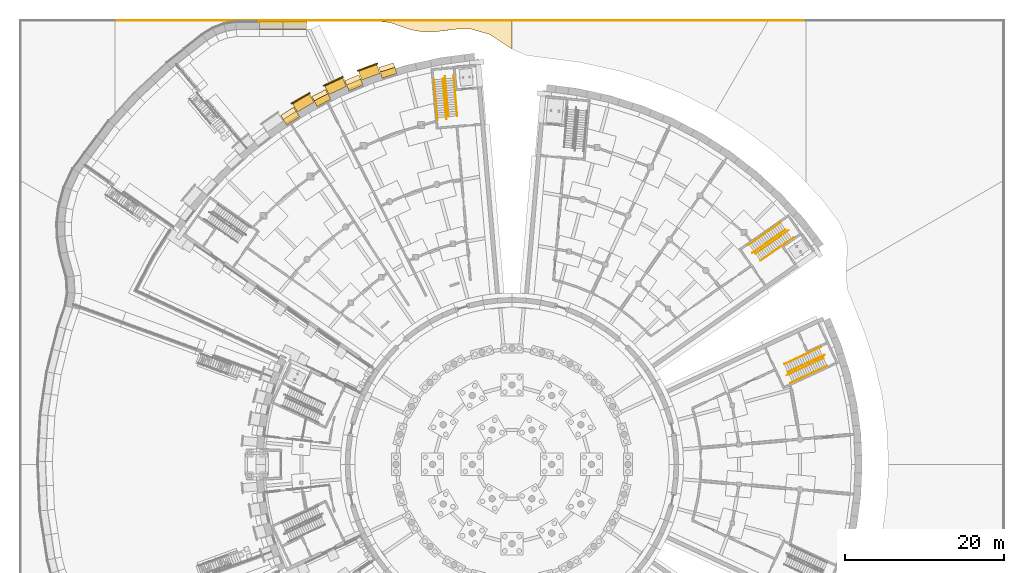
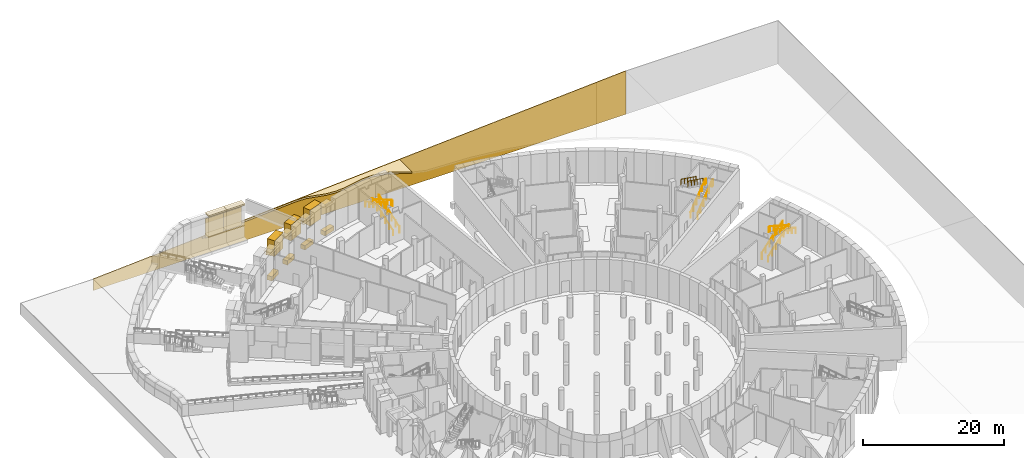
# One storey, part 63 of 65: 24 coverings, 12 railings.
"""IFC4 building model written with IfcOpenShell, lengths in metres."""

from ifc_helpers import new_model, si_unit, direction, frame, origin, origin_2d, place, context, subcontext, project, spatial, polyline, rectangle, circle, outline, extrude, material, layer, layer_set, type_object, element, save


model = new_model("IFC4")

# Units and contexts
model_context = context("Model", 3, precision=1e-05, world=origin(), true_north=direction((0.0, 1.0)))
body_context = subcontext(model_context, "Body", "Model", "MODEL_VIEW")
ifc_project = project(units=[si_unit("LENGTHUNIT", "METRE"), si_unit("AREAUNIT", "SQUARE_METRE"), si_unit("VOLUMEUNIT", "CUBIC_METRE"), si_unit("PLANEANGLEUNIT", "RADIAN"), si_unit("MASSUNIT", "GRAM", prefix="KILO")], contexts=[model_context])

# Site, building, storey
site_placement = place(None, origin())
site = spatial("IfcSite", under=ifc_project, at=site_placement, CompositionType="ELEMENT")
building_placement = place(site_placement, origin())
building = spatial("IfcBuilding", under=site, at=building_placement, Name="Volute Hill Aquarium", CompositionType="ELEMENT")
storey_placement = place(building_placement, frame((0.0, 0.0, -5.5)))
storey = spatial("IfcBuildingStorey", under=building, at=storey_placement, Name="L00", CompositionType="ELEMENT", Elevation=-5.5)

# Coverings
ifc_material_1 = material(Name="Blue limestone", Category="masonry")
covering_type_1 = type_object("IfcCoveringType", Name="Bluestone plinth block 275x750", PredefinedType="CLADDING", material=ifc_material_1)
for number, where, z_axis, x_axis, name in (
    (1, (-15.546875, 49.30810546875, 0.0), (0.0, 0.0, 1.0), (-0.953718003322, -0.300702461147, 0.0), "Bluestone plinth BPN S6 L00 3"),
    (2, (-19.78515625, 47.765380859375, 0.0), (0.0, 0.0, 1.0), (-0.923880784882, -0.382680408861, 0.0), "Bluestone plinth BPN S6 L00 4"),
    (3, (-23.872802734375, 45.859375, 0.0), (0.0, 0.0, 1.0), (-0.887005547579, -0.461758766635, 0.0), "Bluestone plinth BPN S6 L00 5"),
    (4, (-27.77880859375, 43.604248046875, 0.0), (0.0, 0.0, 1.0), (-0.843395858464, -0.537292681808, 0.0), "Bluestone plinth BPN S6 L00 6"),
):
    element("IfcCovering", number, at=place(storey_placement, frame(where, z_axis=z_axis, x_axis=x_axis)), inside=storey, type_object=covering_type_1, Name=name, PredefinedType="CLADDING", context=body_context, shape_type="SweptSolid", body=[
        extrude(rectangle(XDim=1.933837890625, YDim=0.800048828125, at=origin_2d()), origin(), (0.0, 0.0, 1.0), 0.75),
    ])
ifc_material_2 = material(Name="Blue limestone", Category="masonry")
ifc_layer_1 = layer(ifc_material_2, 0.14990234375)
ifc_layer_set_1 = layer_set([ifc_layer_1], Name="Bluestone plinth plate 150x750")
covering_type_2 = type_object("IfcCoveringType", Name="Bluestone plinth plate 150x750", PredefinedType="CLADDING", material=ifc_layer_set_1)
for number, where, z_axis, x_axis, name in (
    (5, (-18.201904296875, 50.00927734375, 2.75), (0.0, 0.0, 1.0), (-0.939692620786, -0.342020143326, 0.0), "Bluestone plinth BP S6 L00 3"),
    (6, (-22.4912109375, 48.232421875, 2.75), (0.0, 0.0, 1.0), (-0.906307787037, -0.422618261741, 0.0), "Bluestone plinth BP S6 L00 4"),
    (7, (-26.609375, 46.088623046875, 2.75), (0.0, 0.0, 1.0), (-0.866025403784, -0.5, 0.0), "Bluestone plinth BP S6 L00 5"),
):
    element("IfcCovering", number, at=place(storey_placement, frame(where, z_axis=z_axis, x_axis=x_axis)), inside=storey, type_object=covering_type_2, Name=name, PredefinedType="CLADDING", context=body_context, shape_type="SweptSolid", body=[
        extrude(rectangle(XDim=2.7353515625, YDim=0.14990234375, at=origin_2d()), origin(), (0.0, 0.0, 1.0), 0.75),
    ])

# Railings
ifc_material_3 = material(Name="Stainless steel 1.4301", Category="steel")
railing_type_1 = type_object("IfcRailingType", Name="Guard 1100 stainless", PredefinedType="GUARDRAIL", material=ifc_material_3)
railing_1_placement = place(storey_placement, frame((34.278564453125, 12.619140625, 0.161865234375)))
element("IfcRailing", 8, at=railing_1_placement, inside=storey, type_object=railing_type_1, Name="gd/S4-B/L00/1", PredefinedType="GUARDRAIL", context=body_context, shape_type="SweptSolid", body=[
    extrude(circle(Radius=0.02392578125, at=origin_2d()), frame((0.0, 0.0, 1.076171875), z_axis=(0.797737998729, 0.371985242238, 0.474595685758), x_axis=(-0.422612573246, 0.906310439604, 0.0)), (0.0, 0.0, 1.0), 5.453369140625),
    extrude(circle(Radius=0.02392578125, at=origin_2d()), frame((4.350341796875, 2.028564453125, 3.6640625), z_axis=(0.906453195831, 0.422306291415, 0.0), x_axis=(-0.422306291415, 0.906453195831, 0.0)), (0.0, 0.0, 1.0), 0.300048828125),
    extrude(circle(Radius=0.02099609375, at=origin_2d()), origin(), (0.0, 0.0, 1.0), 1.052001953125),
    extrude(circle(Radius=0.02099609375, at=origin_2d()), frame((0.8701171875, 0.40576171875, 0.517578125)), (0.0, 0.0, 1.0), 1.052001953125),
    extrude(circle(Radius=0.02099609375, at=origin_2d()), frame((1.740234375, 0.8115234375, 1.03515625)), (0.0, 0.0, 1.0), 1.052001953125),
    extrude(circle(Radius=0.02099609375, at=origin_2d()), frame((2.610107421875, 1.217041015625, 1.552978515625)), (0.0, 0.0, 1.0), 1.052001953125),
    extrude(circle(Radius=0.02099609375, at=origin_2d()), frame((3.480224609375, 1.622802734375, 2.070556640625)), (0.0, 0.0, 1.0), 1.052001953125),
    extrude(circle(Radius=0.02099609375, at=origin_2d()), frame((4.350341796875, 2.028564453125, 2.588134765625)), (0.0, 0.0, 1.0), 1.052001953125),
    extrude(circle(Radius=0.02099609375, at=origin_2d()), frame((4.622314453125, 2.1552734375, 2.588134765625)), (0.0, 0.0, 1.0), 1.052001953125),
])
railing_2_placement = place(storey_placement, frame((31.303466796875, 25.64208984375, 0.161865234375)))
element("IfcRailing", 9, at=railing_2_placement, inside=storey, type_object=railing_type_1, Name="gd/S5-A/L00/1", PredefinedType="GUARDRAIL", context=body_context, shape_type="SweptSolid", body=[
    extrude(circle(Radius=0.02392578125, at=origin_2d()), frame((0.0, 0.0, 1.076171875), z_axis=(0.720998182206, 0.50490018621, 0.474591849088), x_axis=(-0.573615942825, 0.819124380138, 0.0)), (0.0, 0.0, 1.0), 5.453369140625),
    extrude(circle(Radius=0.02392578125, at=origin_2d()), frame((3.931884765625, 2.75341796875, 3.6640625), z_axis=(0.819575896246, 0.572970636502, 0.0), x_axis=(-0.572970636502, 0.819575896246, 0.0)), (0.0, 0.0, 1.0), 0.300048828125),
    extrude(circle(Radius=0.02099609375, at=origin_2d()), origin(), (0.0, 0.0, 1.0), 1.052001953125),
    extrude(circle(Radius=0.02099609375, at=origin_2d()), frame((0.786376953125, 0.55078125, 0.517578125)), (0.0, 0.0, 1.0), 1.052001953125),
    extrude(circle(Radius=0.02099609375, at=origin_2d()), frame((1.57275390625, 1.101318359375, 1.03515625)), (0.0, 0.0, 1.0), 1.052001953125),
    extrude(circle(Radius=0.02099609375, at=origin_2d()), frame((2.359130859375, 1.652099609375, 1.552978515625)), (0.0, 0.0, 1.0), 1.052001953125),
    extrude(circle(Radius=0.02099609375, at=origin_2d()), frame((3.1455078125, 2.20263671875, 2.070556640625)), (0.0, 0.0, 1.0), 1.052001953125),
    extrude(circle(Radius=0.02099609375, at=origin_2d()), frame((3.931884765625, 2.75341796875, 2.588134765625)), (0.0, 0.0, 1.0), 1.052001953125),
    extrude(circle(Radius=0.02099609375, at=origin_2d()), frame((4.177734375, 2.92529296875, 2.588134765625)), (0.0, 0.0, 1.0), 1.052001953125),
])
railing_3_placement = place(storey_placement, frame((-6.8994140625, 43.865478515625, 0.161865234375)))
element("IfcRailing", 10, at=railing_3_placement, inside=storey, type_object=railing_type_1, Name="gd/S6-A/L00/1", PredefinedType="GUARDRAIL", context=body_context, shape_type="SweptSolid", body=[
    extrude(circle(Radius=0.02392578125, at=origin_2d()), frame((0.0, 0.0, 1.076171875), z_axis=(-0.07669002411, 0.876853947593, 0.474600668765), x_axis=(-0.996197139649, -0.087127831115, 0.0)), (0.0, 0.0, 1.0), 5.453369140625),
    extrude(circle(Radius=0.02392578125, at=origin_2d()), frame((-0.418212890625, 4.78173828125, 3.6640625), z_axis=(-0.087822613866, 0.996136129499, 0.0), x_axis=(-0.996136129499, -0.087822613866, 0.0)), (0.0, 0.0, 1.0), 0.30029296875),
    extrude(circle(Radius=0.02099609375, at=origin_2d()), origin(), (0.0, 0.0, 1.0), 1.052001953125),
    extrude(circle(Radius=0.02099609375, at=origin_2d()), frame((-0.083740234375, 0.956298828125, 0.517578125)), (0.0, 0.0, 1.0), 1.052001953125),
    extrude(circle(Radius=0.02099609375, at=origin_2d()), frame((-0.167236328125, 1.91259765625, 1.03515625)), (0.0, 0.0, 1.0), 1.052001953125),
    extrude(circle(Radius=0.02099609375, at=origin_2d()), frame((-0.2509765625, 2.869140625, 1.552978515625)), (0.0, 0.0, 1.0), 1.052001953125),
    extrude(circle(Radius=0.02099609375, at=origin_2d()), frame((-0.33447265625, 3.825439453125, 2.070556640625)), (0.0, 0.0, 1.0), 1.052001953125),
    extrude(circle(Radius=0.02099609375, at=origin_2d()), frame((-0.418212890625, 4.78173828125, 2.588134765625)), (0.0, 0.0, 1.0), 1.052001953125),
    extrude(circle(Radius=0.02099609375, at=origin_2d()), frame((-0.444580078125, 5.080810546875, 2.588134765625)), (0.0, 0.0, 1.0), 1.052001953125),
])
ifc_material_4 = material(Name="Stainless steel 1.4301", Category="steel")
railing_type_2 = type_object("IfcRailingType", Name="Handrail 48 stainless", PredefinedType="HANDRAIL", material=ifc_material_4)
railing_4_placement = place(storey_placement, frame((34.743408203125, 11.6220703125, 0.161865234375)))
element("IfcRailing", 11, at=railing_4_placement, inside=storey, type_object=railing_type_2, Name="hr/S4-B/L00/2", PredefinedType="HANDRAIL", context=body_context, shape_type="SweptSolid", body=[
    extrude(circle(Radius=0.02392578125, at=origin_2d()), frame((0.0, 0.0, 0.8759765625), z_axis=(0.797737998729, 0.371985242238, 0.474595685758), x_axis=(-0.422612573246, 0.906310439604, 0.0)), (0.0, 0.0, 1.0), 5.453369140625),
    extrude(circle(Radius=0.02392578125, at=origin_2d()), frame((4.350341796875, 2.028564453125, 3.4638671875), z_axis=(0.905995887789, 0.423286488455, 0.0), x_axis=(-0.423286488455, 0.905995887789, 0.0)), (0.0, 0.0, 1.0), 0.2998046875),
    extrude(circle(Radius=0.02099609375, at=origin_2d()), origin(), (0.0, 0.0, 1.0), 0.851806640625),
    extrude(circle(Radius=0.02099609375, at=origin_2d()), frame((0.8701171875, 0.40576171875, 0.517578125)), (0.0, 0.0, 1.0), 0.851806640625),
    extrude(circle(Radius=0.02099609375, at=origin_2d()), frame((1.740234375, 0.8115234375, 1.03515625)), (0.0, 0.0, 1.0), 0.851806640625),
    extrude(circle(Radius=0.02099609375, at=origin_2d()), frame((2.610107421875, 1.217041015625, 1.552978515625)), (0.0, 0.0, 1.0), 0.851806640625),
    extrude(circle(Radius=0.02099609375, at=origin_2d()), frame((3.480224609375, 1.622802734375, 2.070556640625)), (0.0, 0.0, 1.0), 0.851806640625),
    extrude(circle(Radius=0.02099609375, at=origin_2d()), frame((4.350341796875, 2.028564453125, 2.588134765625)), (0.0, 0.0, 1.0), 0.851806640625),
    extrude(circle(Radius=0.02099609375, at=origin_2d()), frame((4.6220703125, 2.155517578125, 2.588134765625)), (0.0, 0.0, 1.0), 0.851806640625),
])
railing_5_placement = place(storey_placement, frame((39.220458984375, 13.37890625, 2.911865234375)))
element("IfcRailing", 12, at=railing_5_placement, inside=storey, type_object=railing_type_2, Name="hr/S4-B/L00/3", PredefinedType="HANDRAIL", context=body_context, shape_type="SweptSolid", body=[
    extrude(circle(Radius=0.02392578125, at=origin_2d()), frame((0.0, 0.0, 0.8759765625), z_axis=(-0.797708433047, -0.37203710173, 0.4746047311), x_axis=(0.422673832866, -0.906281871721, 0.0)), (0.0, 0.0, 1.0), 5.453125),
    extrude(circle(Radius=0.02392578125, at=origin_2d()), frame((-4.35009765625, -2.02880859375, 3.4638671875), z_axis=(-0.906453195831, -0.422306291415, 0.0), x_axis=(0.422306291415, -0.906453195831, 0.0)), (0.0, 0.0, 1.0), 0.300048828125),
    extrude(circle(Radius=0.02099609375, at=origin_2d()), origin(), (0.0, 0.0, 1.0), 0.851806640625),
    extrude(circle(Radius=0.02099609375, at=origin_2d()), frame((-0.8701171875, -0.40576171875, 0.517578125)), (0.0, 0.0, 1.0), 0.851806640625),
    extrude(circle(Radius=0.02099609375, at=origin_2d()), frame((-1.739990234375, -0.8115234375, 1.03515625)), (0.0, 0.0, 1.0), 0.851806640625),
    extrude(circle(Radius=0.02099609375, at=origin_2d()), frame((-2.610107421875, -1.21728515625, 1.552978515625)), (0.0, 0.0, 1.0), 0.851806640625),
    extrude(circle(Radius=0.02099609375, at=origin_2d()), frame((-3.47998046875, -1.623046875, 2.070556640625)), (0.0, 0.0, 1.0), 0.851806640625),
    extrude(circle(Radius=0.02099609375, at=origin_2d()), frame((-4.35009765625, -2.02880859375, 2.588134765625)), (0.0, 0.0, 1.0), 0.851806640625),
    extrude(circle(Radius=0.02099609375, at=origin_2d()), frame((-4.6220703125, -2.155517578125, 2.588134765625)), (0.0, 0.0, 1.0), 0.851806640625),
])
railing_6_placement = place(storey_placement, frame((39.685302734375, 12.3818359375, 2.911865234375)))
element("IfcRailing", 13, at=railing_6_placement, inside=storey, type_object=railing_type_2, Name="hr/S4-B/L00/4", PredefinedType="HANDRAIL", context=body_context, shape_type="SweptSolid", body=[
    extrude(circle(Radius=0.02392578125, at=origin_2d()), frame((0.0, 0.0, 0.8759765625), z_axis=(-0.797721719235, -0.371998527619, 0.474612635852), x_axis=(0.422632055127, -0.906301354947, 0.0)), (0.0, 0.0, 1.0), 5.453125),
    extrude(circle(Radius=0.02392578125, at=origin_2d()), frame((-4.35009765625, -2.028564453125, 3.4638671875), z_axis=(-0.906453195831, -0.422306291415, 0.0), x_axis=(0.422306291415, -0.906453195831, 0.0)), (0.0, 0.0, 1.0), 0.300048828125),
    extrude(circle(Radius=0.02099609375, at=origin_2d()), origin(), (0.0, 0.0, 1.0), 0.851806640625),
    extrude(circle(Radius=0.02099609375, at=origin_2d()), frame((-0.8701171875, -0.40576171875, 0.517578125)), (0.0, 0.0, 1.0), 0.851806640625),
    extrude(circle(Radius=0.02099609375, at=origin_2d()), frame((-1.739990234375, -0.8115234375, 1.03515625)), (0.0, 0.0, 1.0), 0.851806640625),
    extrude(circle(Radius=0.02099609375, at=origin_2d()), frame((-2.610107421875, -1.217041015625, 1.552978515625)), (0.0, 0.0, 1.0), 0.851806640625),
    extrude(circle(Radius=0.02099609375, at=origin_2d()), frame((-3.47998046875, -1.622802734375, 2.070556640625)), (0.0, 0.0, 1.0), 0.851806640625),
    extrude(circle(Radius=0.02099609375, at=origin_2d()), frame((-4.35009765625, -2.028564453125, 2.588134765625)), (0.0, 0.0, 1.0), 0.851806640625),
    extrude(circle(Radius=0.02099609375, at=origin_2d()), frame((-4.6220703125, -2.1552734375, 2.588134765625)), (0.0, 0.0, 1.0), 0.851806640625),
])
railing_7_placement = place(storey_placement, frame((30.67236328125, 26.543212890625, 0.161865234375)))
element("IfcRailing", 14, at=railing_7_placement, inside=storey, type_object=railing_type_2, Name="hr/S5-A/L00/2", PredefinedType="HANDRAIL", context=body_context, shape_type="SweptSolid", body=[
    extrude(circle(Radius=0.02392578125, at=origin_2d()), frame((0.0, 0.0, 0.8759765625), z_axis=(0.721035973794, 0.504850532502, 0.474587256811), x_axis=(-0.573557917916, 0.819165010725, 0.0)), (0.0, 0.0, 1.0), 5.453369140625),
    extrude(circle(Radius=0.02392578125, at=origin_2d()), frame((3.93212890625, 2.753173828125, 3.4638671875), z_axis=(0.818925855405, 0.573899332068, 0.0), x_axis=(-0.573899332068, 0.818925855405, 0.0)), (0.0, 0.0, 1.0), 0.2998046875),
    extrude(circle(Radius=0.02099609375, at=origin_2d()), origin(), (0.0, 0.0, 1.0), 0.851806640625),
    extrude(circle(Radius=0.02099609375, at=origin_2d()), frame((0.786376953125, 0.550537109375, 0.517578125)), (0.0, 0.0, 1.0), 0.851806640625),
    extrude(circle(Radius=0.02099609375, at=origin_2d()), frame((1.57275390625, 1.101318359375, 1.03515625)), (0.0, 0.0, 1.0), 0.851806640625),
    extrude(circle(Radius=0.02099609375, at=origin_2d()), frame((2.359375, 1.65185546875, 1.552978515625)), (0.0, 0.0, 1.0), 0.851806640625),
    extrude(circle(Radius=0.02099609375, at=origin_2d()), frame((3.145751953125, 2.20263671875, 2.070556640625)), (0.0, 0.0, 1.0), 0.851806640625),
    extrude(circle(Radius=0.02099609375, at=origin_2d()), frame((3.93212890625, 2.753173828125, 2.588134765625)), (0.0, 0.0, 1.0), 0.851806640625),
    extrude(circle(Radius=0.02099609375, at=origin_2d()), frame((4.177734375, 2.92529296875, 2.588134765625)), (0.0, 0.0, 1.0), 0.851806640625),
])
railing_8_placement = place(storey_placement, frame((34.432373046875, 29.542236328125, 2.911865234375)))
element("IfcRailing", 15, at=railing_8_placement, inside=storey, type_object=railing_type_2, Name="hr/S5-A/L00/3", PredefinedType="HANDRAIL", context=body_context, shape_type="SweptSolid", body=[
    extrude(circle(Radius=0.02392578125, at=origin_2d()), frame((0.0, 0.0, 0.8759765625), z_axis=(-0.721014479241, -0.504866829084, 0.474602576494), x_axis=(0.573581815061, -0.819148278049, 0.0)), (0.0, 0.0, 1.0), 5.453369140625),
    extrude(circle(Radius=0.02392578125, at=origin_2d()), frame((-3.931884765625, -2.753173828125, 3.4638671875), z_axis=(-0.819193700616, -0.573516940352, 0.0), x_axis=(0.573516940352, -0.819193700616, 0.0)), (0.0, 0.0, 1.0), 0.300048828125),
    extrude(circle(Radius=0.02099609375, at=origin_2d()), origin(), (0.0, 0.0, 1.0), 0.851806640625),
    extrude(circle(Radius=0.02099609375, at=origin_2d()), frame((-0.786376953125, -0.550537109375, 0.517578125)), (0.0, 0.0, 1.0), 0.851806640625),
    extrude(circle(Radius=0.02099609375, at=origin_2d()), frame((-1.57275390625, -1.101318359375, 1.03515625)), (0.0, 0.0, 1.0), 0.851806640625),
    extrude(circle(Radius=0.02099609375, at=origin_2d()), frame((-2.359130859375, -1.65185546875, 1.552978515625)), (0.0, 0.0, 1.0), 0.851806640625),
    extrude(circle(Radius=0.02099609375, at=origin_2d()), frame((-3.1455078125, -2.20263671875, 2.070556640625)), (0.0, 0.0, 1.0), 0.851806640625),
    extrude(circle(Radius=0.02099609375, at=origin_2d()), frame((-3.931884765625, -2.753173828125, 2.588134765625)), (0.0, 0.0, 1.0), 0.851806640625),
    extrude(circle(Radius=0.02099609375, at=origin_2d()), frame((-4.177734375, -2.92529296875, 2.588134765625)), (0.0, 0.0, 1.0), 0.851806640625),
])
railing_9_placement = place(storey_placement, frame((33.801513671875, 30.443359375, 2.911865234375)))
element("IfcRailing", 16, at=railing_9_placement, inside=storey, type_object=railing_type_2, Name="hr/S5-A/L00/4", PredefinedType="HANDRAIL", context=body_context, shape_type="SweptSolid", body=[
    extrude(circle(Radius=0.02392578125, at=origin_2d()), frame((0.0, 0.0, 0.8759765625), z_axis=(-0.721035973794, -0.504850532502, 0.474587256811), x_axis=(0.573557917916, -0.819165010725, 0.0)), (0.0, 0.0, 1.0), 5.453369140625),
    extrude(circle(Radius=0.02392578125, at=origin_2d()), frame((-3.93212890625, -2.753173828125, 3.4638671875), z_axis=(-0.818925855405, -0.573899332068, 0.0), x_axis=(0.573899332068, -0.818925855405, 0.0)), (0.0, 0.0, 1.0), 0.2998046875),
    extrude(circle(Radius=0.02099609375, at=origin_2d()), origin(), (0.0, 0.0, 1.0), 0.851806640625),
    extrude(circle(Radius=0.02099609375, at=origin_2d()), frame((-0.786376953125, -0.550537109375, 0.517578125)), (0.0, 0.0, 1.0), 0.851806640625),
    extrude(circle(Radius=0.02099609375, at=origin_2d()), frame((-1.57275390625, -1.101318359375, 1.03515625)), (0.0, 0.0, 1.0), 0.851806640625),
    extrude(circle(Radius=0.02099609375, at=origin_2d()), frame((-2.359375, -1.65185546875, 1.552978515625)), (0.0, 0.0, 1.0), 0.851806640625),
    extrude(circle(Radius=0.02099609375, at=origin_2d()), frame((-3.145751953125, -2.20263671875, 2.070556640625)), (0.0, 0.0, 1.0), 0.851806640625),
    extrude(circle(Radius=0.02099609375, at=origin_2d()), frame((-3.93212890625, -2.753173828125, 2.588134765625)), (0.0, 0.0, 1.0), 0.851806640625),
    extrude(circle(Radius=0.02099609375, at=origin_2d()), frame((-4.177734375, -2.92529296875, 2.588134765625)), (0.0, 0.0, 1.0), 0.851806640625),
])
railing_10_placement = place(storey_placement, frame((-7.9951171875, 43.769775390625, 0.161865234375)))
element("IfcRailing", 17, at=railing_10_placement, inside=storey, type_object=railing_type_2, Name="hr/S6-A/L00/2", PredefinedType="HANDRAIL", context=body_context, shape_type="SweptSolid", body=[
    extrude(circle(Radius=0.02392578125, at=origin_2d()), frame((0.0, 0.0, 0.8759765625), z_axis=(-0.076734530001, 0.876850936167, 0.474599038819), x_axis=(-0.996192723684, -0.087178307383, 0.0)), (0.0, 0.0, 1.0), 5.453369140625),
    extrude(circle(Radius=0.02392578125, at=origin_2d()), frame((-0.41845703125, 4.78173828125, 3.4638671875), z_axis=(-0.087086179441, 0.996200781645, 0.0), x_axis=(-0.996200781645, -0.087086179441, 0.0)), (0.0, 0.0, 1.0), 0.300048828125),
    extrude(circle(Radius=0.02099609375, at=origin_2d()), origin(), (0.0, 0.0, 1.0), 0.851806640625),
    extrude(circle(Radius=0.02099609375, at=origin_2d()), frame((-0.083740234375, 0.956298828125, 0.517578125)), (0.0, 0.0, 1.0), 0.851806640625),
    extrude(circle(Radius=0.02099609375, at=origin_2d()), frame((-0.16748046875, 1.91259765625, 1.03515625)), (0.0, 0.0, 1.0), 0.851806640625),
    extrude(circle(Radius=0.02099609375, at=origin_2d()), frame((-0.2509765625, 2.869140625, 1.552978515625)), (0.0, 0.0, 1.0), 0.851806640625),
    extrude(circle(Radius=0.02099609375, at=origin_2d()), frame((-0.334716796875, 3.825439453125, 2.070556640625)), (0.0, 0.0, 1.0), 0.851806640625),
    extrude(circle(Radius=0.02099609375, at=origin_2d()), frame((-0.41845703125, 4.78173828125, 2.588134765625)), (0.0, 0.0, 1.0), 0.851806640625),
    extrude(circle(Radius=0.02099609375, at=origin_2d()), frame((-0.444580078125, 5.08056640625, 2.588134765625)), (0.0, 0.0, 1.0), 0.851806640625),
])
railing_11_placement = place(storey_placement, frame((-8.71240234375, 48.525390625, 2.911865234375)))
element("IfcRailing", 18, at=railing_11_placement, inside=storey, type_object=railing_type_2, Name="hr/S6-A/L00/3", PredefinedType="HANDRAIL", context=body_context, shape_type="SweptSolid", body=[
    extrude(circle(Radius=0.02392578125, at=origin_2d()), frame((0.0, 0.0, 0.8759765625), z_axis=(0.07669002411, -0.876853947593, 0.474600668765), x_axis=(0.996197139649, 0.087127831115, 0.0)), (0.0, 0.0, 1.0), 5.453369140625),
    extrude(circle(Radius=0.02392578125, at=origin_2d()), frame((0.418212890625, -4.78173828125, 3.4638671875), z_axis=(0.087822613866, -0.996136129499, 0.0), x_axis=(0.996136129499, 0.087822613866, 0.0)), (0.0, 0.0, 1.0), 0.30029296875),
    extrude(circle(Radius=0.02099609375, at=origin_2d()), origin(), (0.0, 0.0, 1.0), 0.851806640625),
    extrude(circle(Radius=0.02099609375, at=origin_2d()), frame((0.083740234375, -0.956298828125, 0.517578125)), (0.0, 0.0, 1.0), 0.851806640625),
    extrude(circle(Radius=0.02099609375, at=origin_2d()), frame((0.167236328125, -1.91259765625, 1.03515625)), (0.0, 0.0, 1.0), 0.851806640625),
    extrude(circle(Radius=0.02099609375, at=origin_2d()), frame((0.2509765625, -2.869140625, 1.552978515625)), (0.0, 0.0, 1.0), 0.851806640625),
    extrude(circle(Radius=0.02099609375, at=origin_2d()), frame((0.33447265625, -3.825439453125, 2.070556640625)), (0.0, 0.0, 1.0), 0.851806640625),
    extrude(circle(Radius=0.02099609375, at=origin_2d()), frame((0.418212890625, -4.78173828125, 2.588134765625)), (0.0, 0.0, 1.0), 0.851806640625),
    extrude(circle(Radius=0.02099609375, at=origin_2d()), frame((0.444580078125, -5.080810546875, 2.588134765625)), (0.0, 0.0, 1.0), 0.851806640625),
])
railing_12_placement = place(storey_placement, frame((-9.80810546875, 48.429443359375, 2.911865234375)))
element("IfcRailing", 19, at=railing_12_placement, inside=storey, type_object=railing_type_2, Name="hr/S6-A/L00/4", PredefinedType="HANDRAIL", context=body_context, shape_type="SweptSolid", body=[
    extrude(circle(Radius=0.02392578125, at=origin_2d()), frame((0.0, 0.0, 0.8759765625), z_axis=(0.07669002411, -0.876853947593, 0.474600668765), x_axis=(0.996197139649, 0.087127831115, 0.0)), (0.0, 0.0, 1.0), 5.453369140625),
    extrude(circle(Radius=0.02392578125, at=origin_2d()), frame((0.418212890625, -4.78173828125, 3.4638671875), z_axis=(0.087086179441, -0.996200781645, 0.0), x_axis=(0.996200781645, 0.087086179441, 0.0)), (0.0, 0.0, 1.0), 0.300048828125),
    extrude(circle(Radius=0.02099609375, at=origin_2d()), origin(), (0.0, 0.0, 1.0), 0.851806640625),
    extrude(circle(Radius=0.02099609375, at=origin_2d()), frame((0.083740234375, -0.956298828125, 0.517578125)), (0.0, 0.0, 1.0), 0.851806640625),
    extrude(circle(Radius=0.02099609375, at=origin_2d()), frame((0.167236328125, -1.91259765625, 1.03515625)), (0.0, 0.0, 1.0), 0.851806640625),
    extrude(circle(Radius=0.02099609375, at=origin_2d()), frame((0.2509765625, -2.869140625, 1.552978515625)), (0.0, 0.0, 1.0), 0.851806640625),
    extrude(circle(Radius=0.02099609375, at=origin_2d()), frame((0.33447265625, -3.825439453125, 2.070556640625)), (0.0, 0.0, 1.0), 0.851806640625),
    extrude(circle(Radius=0.02099609375, at=origin_2d()), frame((0.418212890625, -4.78173828125, 2.588134765625)), (0.0, 0.0, 1.0), 0.851806640625),
    extrude(circle(Radius=0.02099609375, at=origin_2d()), frame((0.4443359375, -5.08056640625, 2.588134765625)), (0.0, 0.0, 1.0), 0.851806640625),
])

# Coverings
ifc_material_5 = material(Name="Aluminium, anodised", Category="aluminium")
ifc_layer_2 = layer(ifc_material_5, 0.080078125)
ifc_layer_set_2 = layer_set([ifc_layer_2], Name="Horizontal brise-soleil eyebrow 1200x80")
covering_type_3 = type_object("IfcCoveringType", Name="Horizontal brise-soleil eyebrow 1200x80", PredefinedType="CLADDING", material=ifc_layer_set_2)
for number, where, z_axis, x_axis, name in (
    (20, (-15.6669921875, 49.689453125, 4.760009765625), (0.0, 0.0, 1.0), (-0.953718003322, -0.300702461147, 0.0), "Brise-soleil eyebrow BS S6 L00 3.1"),
    (21, (-19.938232421875, 48.135009765625, 4.760009765625), (0.0, 0.0, 1.0), (-0.923880784882, -0.382680408861, 0.0), "Brise-soleil eyebrow BS S6 L00 4.1"),
    (22, (-19.938232421875, 48.135009765625, 4.260009765625), (0.0, 0.0, 1.0), (-0.923880784882, -0.382680408861, 0.0), "Brise-soleil eyebrow BS S6 L00 4.2"),
    (23, (-24.0576171875, 46.214111328125, 4.760009765625), (0.0, 0.0, 1.0), (-0.887005547579, -0.461758766635, 0.0), "Brise-soleil eyebrow BS S6 L00 5.1"),
    (24, (-27.993896484375, 43.94140625, 4.760009765625), (0.0, 0.0, 1.0), (-0.843395858464, -0.537292681808, 0.0), "Brise-soleil eyebrow BS S6 L00 6.1"),
    (25, (-27.993896484375, 43.94140625, 4.260009765625), (0.0, 0.0, 1.0), (-0.843395858464, -0.537292681808, 0.0), "Brise-soleil eyebrow BS S6 L00 6.2"),
):
    element("IfcCovering", number, at=place(storey_placement, frame(where, z_axis=z_axis, x_axis=x_axis)), inside=storey, type_object=covering_type_3, Name=name, PredefinedType="CLADDING", context=body_context, shape_type="SweptSolid", body=[
        extrude(rectangle(XDim=1.933837890625, YDim=1.199951171875, at=origin_2d()), origin(), (0.0, 0.0, 1.0), 0.080078125),
    ])
ifc_material_6 = material(Name="Planting soil and turf")
ifc_layer_3 = layer(ifc_material_6, 0.300048828125)
ifc_layer_set_3 = layer_set([ifc_layer_3], Name="Planted ground soil and turf build-up 300")
covering_type_4 = type_object("IfcCoveringType", Name="Planted ground soil and turf build-up 300", PredefinedType="CLADDING", material=ifc_layer_set_3)
covering_1_placement = place(storey_placement, frame((-5.152099609375, 54.799560546875, 2.835205078125), z_axis=(-0.063087112686, 0.000128040756, 0.998008015909), x_axis=(0.959436945544, -0.275314675437, 0.060684240239)))
element("IfcCovering", 26, at=covering_1_placement, inside=storey, type_object=covering_type_4, Name="tn/13/L00/0", PredefinedType="CLADDING", context=body_context, shape_type="SweptSolid", body=[
    extrude(outline(polyline([(0.0, 0.0), (2.4634453108412915, 2.42861286636753e-17), (5.653248942802055, -0.9893814002256882), (4.673650290501896, 2.431218079339984), (-26.38721578022946, -6.464059664967349), (-26.33341717572225, -6.515950769992523), (-11.707732179443255, -2.3121782995551854), (-10.099290645992564, -2.0277940694798158), (-7.178878015110661, -2.1618017688897133), (-5.785453492552202, -2.018736402483297), (-4.438200493162624, -1.6415416675427712), (-1.428818928787697, -0.36779359585039145), (0.0, 0.0)])), origin(), (0.0, 0.0, -1.0), 0.300048828125),
])
ifc_material_7 = material(Name="Precast concrete C40/50", Category="concrete")
ifc_layer_4 = layer(ifc_material_7, 0.25)
ifc_layer_set_4 = layer_set([ifc_layer_4], Name="Plinth coping precast concrete C40/50 1000")
covering_type_5 = type_object("IfcCoveringType", Name="Plinth coping precast concrete C40/50 1000", PredefinedType="CLADDING", material=ifc_layer_set_4)
covering_2_placement = place(storey_placement, frame((0.0, 0.0, 4.97509765625)))
element("IfcCovering", 27, at=covering_2_placement, inside=storey, type_object=covering_type_5, Name="cp/E77FA3/L00/3", PredefinedType="CLADDING", context=body_context, shape_type="SweptSolid", body=[
    extrude(outline(polyline([(-25.896484375, 55.741455078125), (-28.845703125, 55.738525390625), (-28.8447265625, 54.738525390625), (-25.8955078125, 54.741455078125), (-25.896484375, 55.741455078125)])), origin(), (0.0, 0.0, 1.0), 0.25),
])
covering_3_placement = place(storey_placement, frame((0.0, 0.0, 4.97509765625)))
element("IfcCovering", 28, at=covering_3_placement, inside=storey, type_object=covering_type_5, Name="cp/E77FA3/L00/4", PredefinedType="CLADDING", context=body_context, shape_type="SweptSolid", body=[
    extrude(outline(polyline([(-28.845703125, 55.738525390625), (-31.794677734375, 55.73583984375), (-31.793701171875, 54.73583984375), (-28.8447265625, 54.738525390625), (-28.845703125, 55.738525390625)])), origin(), (0.0, 0.0, 1.0), 0.25),
])
ifc_material_8 = material(Name="Precast concrete C40/50", Category="concrete")
ifc_layer_5 = layer(ifc_material_8, 0.199951171875)
ifc_layer_set_5 = layer_set([ifc_layer_5], Name="Plinth grade course precast concrete C40/50 1100")
covering_type_6 = type_object("IfcCoveringType", Name="Plinth grade course precast concrete C40/50 1100", PredefinedType="CLADDING", material=ifc_layer_set_5)
covering_4_placement = place(storey_placement, frame((0.0, 0.0, 1.375)))
element("IfcCovering", 29, at=covering_4_placement, inside=storey, type_object=covering_type_6, Name="gc/E77FA3/L00/3", PredefinedType="CLADDING", context=body_context, shape_type="SweptSolid", body=[
    extrude(outline(polyline([(-25.896484375, 55.79150390625), (-28.845703125, 55.78857421875), (-28.8447265625, 54.78857421875), (-25.8955078125, 54.79150390625), (-25.896484375, 55.79150390625)])), origin(), (0.0, 0.0, 1.0), 0.199951171875),
])
covering_5_placement = place(storey_placement, frame((0.0, 0.0, 1.375)))
element("IfcCovering", 30, at=covering_5_placement, inside=storey, type_object=covering_type_6, Name="gc/E77FA3/L00/4", PredefinedType="CLADDING", context=body_context, shape_type="SweptSolid", body=[
    extrude(outline(polyline([(-28.845703125, 55.78857421875), (-31.794677734375, 55.785888671875), (-31.793701171875, 54.785888671875), (-28.8447265625, 54.78857421875), (-28.845703125, 55.78857421875)])), origin(), (0.0, 0.0, 1.0), 0.199951171875),
])
ifc_material_9 = material(Name="Precast concrete C40/50", Category="concrete")
covering_type_7 = type_object("IfcCoveringType", Name="Projecting pier precast concrete C40/50 2435x1200", PredefinedType="CLADDING", material=ifc_material_9)
for number, where, z_axis, x_axis, name in (
    (31, (-17.970947265625, 49.375, 2.75), (0.0, 0.0, 1.0), (-0.939692620786, -0.342020143326, 0.0), "Projecting pier PP S6 L00 3"),
    (32, (-22.205810546875, 47.620849609375, 2.75), (0.0, 0.0, 1.0), (-0.906307787037, -0.422618261741, 0.0), "Projecting pier PP S6 L00 4"),
    (33, (-26.271728515625, 45.504150390625, 2.75), (0.0, 0.0, 1.0), (-0.866025403784, -0.5, 0.0), "Projecting pier PP S6 L00 5"),
):
    element("IfcCovering", number, at=place(storey_placement, frame(where, z_axis=z_axis, x_axis=x_axis)), inside=storey, type_object=covering_type_7, Name=name, PredefinedType="CLADDING", context=body_context, shape_type="SweptSolid", body=[
        extrude(rectangle(XDim=2.435302734375, YDim=1.199951171875, at=origin_2d()), origin(), (0.0, 0.0, 1.0), 2.75),
    ])
ifc_material_10 = material(Name="Precast concrete C40/50", Category="concrete")
ifc_layer_6 = layer(ifc_material_10, 0.10009765625)
ifc_layer_set_6 = layer_set([ifc_layer_6], Name="Retained ground face precast concrete C40/50 100")
covering_type_8 = type_object("IfcCoveringType", Name="Retained ground face precast concrete C40/50 100", PredefinedType="CLADDING", material=ifc_layer_set_6)
covering_6_placement = place(storey_placement, frame((0.0, 0.0, 0.9873046875)))
element("IfcCovering", 34, at=covering_6_placement, inside=storey, type_object=covering_type_8, Name="tg/E77FA3/L00/3", PredefinedType="CLADDING", context=body_context, shape_type="SweptSolid", body=[
    extrude(outline(polyline([(-25.896484375, 55.79150390625), (-28.845703125, 55.78857421875), (-28.845458984375, 55.688720703125), (-25.896484375, 55.69140625), (-25.896484375, 55.79150390625)])), origin(), (0.0, 0.0, 1.0), 3.1376953125),
])
covering_7_placement = place(storey_placement, frame((0.0, 0.0, 0.80078125)))
element("IfcCovering", 35, at=covering_7_placement, inside=storey, type_object=covering_type_8, Name="tg/E77FA3/L00/4", PredefinedType="CLADDING", context=body_context, shape_type="SweptSolid", body=[
    extrude(outline(polyline([(-28.845703125, 55.78857421875), (-31.794677734375, 55.785888671875), (-31.794677734375, 55.685791015625), (-28.845458984375, 55.688720703125), (-28.845703125, 55.78857421875)])), origin(), (0.0, 0.0, 1.0), 3.32421875),
])
covering_8_placement = place(storey_placement, frame((37.0, 55.949951171875, -2.0), z_axis=(0.0, 1.0, 0.0), x_axis=(-1.0, 0.0, 0.0)))
element("IfcCovering", 36, at=covering_8_placement, inside=storey, type_object=covering_type_8, Name="tf/3/L00/0", PredefinedType="CLADDING", context=body_context, shape_type="SweptSolid", body=[
    extrude(outline(polyline([(0.0, 0.0), (87.0, 0.0), (87.0, 2.0), (0.0, 7.5), (0.0, 0.0)])), origin(), (0.0, 0.0, -1.0), 0.10009765625),
])

save(model, "model.ifc")
